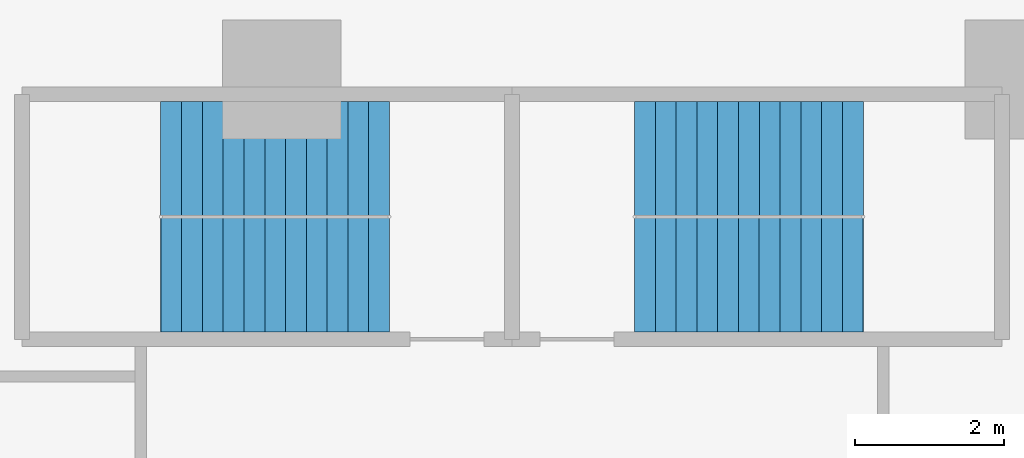
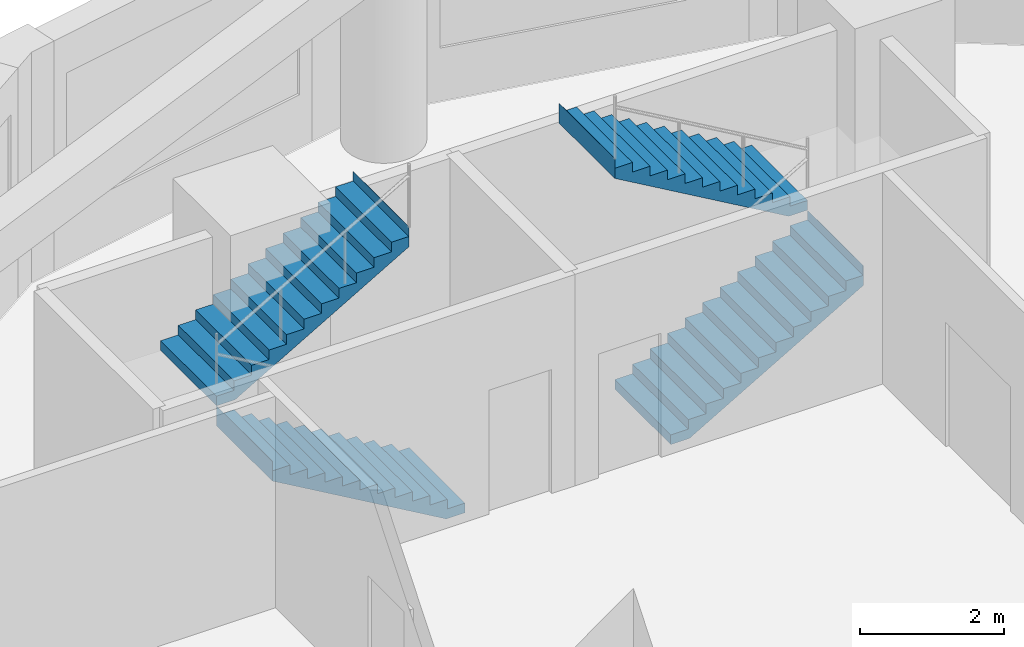
# One storey, part 8 of 10: 4 stair flights, 2 elements without a shape of their own.
"""IFC4 building model written with IfcOpenShell, lengths in metres."""

from ifc_helpers import new_model, si_unit, direction, frame, origin, place, context, subcontext, project, spatial, polyline, outline, extrude, material, type_object, element, aggregate, save


model = new_model("IFC4")

# Units and contexts
model_context = context("Model", 3, precision=1e-05, world=origin(), true_north=direction((0.0, 1.0)))
body_context = subcontext(model_context, "Body", "Model", "MODEL_VIEW")
ifc_project = project(units=[si_unit("LENGTHUNIT", "METRE"), si_unit("AREAUNIT", "SQUARE_METRE"), si_unit("VOLUMEUNIT", "CUBIC_METRE"), si_unit("PLANEANGLEUNIT", "RADIAN"), si_unit("MASSUNIT", "GRAM", prefix="KILO")], contexts=[model_context])

# Site, building, storey
site_placement = place(None, origin())
site = spatial("IfcSite", under=ifc_project, at=site_placement, CompositionType="ELEMENT")
building_placement = place(site_placement, origin())
building = spatial("IfcBuilding", under=site, at=building_placement, Name="Qaws Garden Tower", CompositionType="ELEMENT")
storey_placement = place(building_placement, frame((0.0, 0.0, 101.699951171875)))
storey = spatial("IfcBuildingStorey", under=building, at=storey_placement, Name="L25", CompositionType="ELEMENT", Elevation=101.699951171875)

# Stair, stair flights
ifc_material_1 = material(Name="Concrete C40", Category="concrete")
stair_type = type_object("IfcStairType", Name="Exit stair 1350", PredefinedType="HALF_TURN_STAIR", material=ifc_material_1)
placement = place(storey_placement, origin())
stair_1 = element("IfcStair", 1, at=placement, inside=storey, type_object=stair_type, Name="Stair 6", PredefinedType="HALF_TURN_STAIR")
ifc_material_2 = material(Name="Concrete C40", Category="concrete")
stair_flight_type = type_object("IfcStairFlightType", Name="Stair flight 1350", PredefinedType="STRAIGHT", material=ifc_material_2)
stair_flight_1_placement = place(storey_placement, frame((11.449951171875, 67.375, 0.0), z_axis=(0.0, 0.0, 1.0), x_axis=(-1.0, 0.0, 0.0)))
stair_flight_1 = element("IfcStairFlight", 2, at=stair_flight_1_placement, type_object=stair_flight_type, Name="ST6 flight 1", NumberOfRisers=12, NumberOfTreads=11, PredefinedType="STRAIGHT", RiserHeight=0.1625, TreadLength=0.28, context=body_context, shape_type="SweptSolid", body=[
    extrude(outline(polyline([(-0.0029296875, 0.0), (-0.0029296875, 0.16259765625), (0.0, 0.16259765625), (0.280029296875, 0.16259765625), (0.280029296875, 0.324951171875), (0.56005859375, 0.324951171875), (0.56005859375, 0.487548828125), (0.840087890625, 0.487548828125), (0.840087890625, 0.64990234375), (1.1201171875, 0.64990234375), (1.1201171875, 0.8125), (1.39990234375, 0.8125), (1.39990234375, 0.97509765625), (1.679931640625, 0.97509765625), (1.679931640625, 1.137451171875), (1.9599609375, 1.137451171875), (1.9599609375, 1.300048828125), (2.239990234375, 1.300048828125), (2.239990234375, 1.46240234375), (2.52001953125, 1.46240234375), (2.52001953125, 1.625), (2.800048828125, 1.625), (2.800048828125, 1.78759765625), (3.080078125, 1.78759765625), (3.080078125, 1.949951171875), (3.0830078125, 1.949951171875), (3.0830078125, 1.6142578125), (3.080078125, 1.6142578125), (0.298583984375, 0.0), (-0.0029296875, 0.0)])), frame((0.0, 0.77490234375, 0.0), z_axis=(0.0, -1.0, 0.0), x_axis=(1.0, 0.0, 0.0)), (0.0, 0.0, 1.0), 1.550048828125),
])
stair_flight_2_placement = place(storey_placement, frame((8.3701171875, 68.925048828125, 1.949951171875), z_axis=(0.0, 0.0, 1.0), x_axis=(1.0, 0.0, 0.0)))
stair_flight_2 = element("IfcStairFlight", 3, at=stair_flight_2_placement, type_object=stair_flight_type, Name="ST6 flight 2", NumberOfRisers=12, NumberOfTreads=11, PredefinedType="STRAIGHT", RiserHeight=0.1625, TreadLength=0.28, context=body_context, shape_type="SweptSolid", body=[
    extrude(outline(polyline([(-0.0029296875, 0.0), (-0.0029296875, 0.16259765625), (0.0, 0.16259765625), (0.280029296875, 0.16259765625), (0.280029296875, 0.324951171875), (0.56005859375, 0.324951171875), (0.56005859375, 0.487548828125), (0.840087890625, 0.487548828125), (0.840087890625, 0.64990234375), (1.1201171875, 0.64990234375), (1.1201171875, 0.8125), (1.39990234375, 0.8125), (1.39990234375, 0.97509765625), (1.679931640625, 0.97509765625), (1.679931640625, 1.137451171875), (1.9599609375, 1.137451171875), (1.9599609375, 1.300048828125), (2.239990234375, 1.300048828125), (2.239990234375, 1.46240234375), (2.52001953125, 1.46240234375), (2.52001953125, 1.625), (2.800048828125, 1.625), (2.800048828125, 1.78759765625), (3.080078125, 1.78759765625), (3.080078125, 1.949951171875), (3.0830078125, 1.949951171875), (3.0830078125, 1.6142578125), (3.080078125, 1.6142578125), (0.298583984375, 0.0), (-0.0029296875, 0.0)])), frame((0.0, 0.77490234375, 0.0), z_axis=(0.0, -1.0, 0.0), x_axis=(1.0, 0.0, 0.0)), (0.0, 0.0, 1.0), 1.550048828125),
])
aggregate(stair_1, [stair_flight_1, stair_flight_2])

stair_2 = element("IfcStair", 4, at=placement, inside=storey, type_object=stair_type, Name="Stair 7", PredefinedType="HALF_TURN_STAIR")
stair_flight_3_placement = place(storey_placement, frame((14.75, 67.375, 0.0), z_axis=(0.0, 0.0, 1.0), x_axis=(1.0, 0.0, 0.0)))
stair_flight_3 = element("IfcStairFlight", 5, at=stair_flight_3_placement, type_object=stair_flight_type, Name="ST7 flight 1", NumberOfRisers=12, NumberOfTreads=11, PredefinedType="STRAIGHT", RiserHeight=0.1625, TreadLength=0.28, context=body_context, shape_type="SweptSolid", body=[
    extrude(outline(polyline([(-0.0029296875, 0.0), (-0.0029296875, 0.16259765625), (0.0, 0.16259765625), (0.280029296875, 0.16259765625), (0.280029296875, 0.324951171875), (0.56005859375, 0.324951171875), (0.56005859375, 0.487548828125), (0.840087890625, 0.487548828125), (0.840087890625, 0.64990234375), (1.1201171875, 0.64990234375), (1.1201171875, 0.8125), (1.39990234375, 0.8125), (1.39990234375, 0.97509765625), (1.679931640625, 0.97509765625), (1.679931640625, 1.137451171875), (1.9599609375, 1.137451171875), (1.9599609375, 1.300048828125), (2.239990234375, 1.300048828125), (2.239990234375, 1.46240234375), (2.52001953125, 1.46240234375), (2.52001953125, 1.625), (2.800048828125, 1.625), (2.800048828125, 1.78759765625), (3.080078125, 1.78759765625), (3.080078125, 1.949951171875), (3.0830078125, 1.949951171875), (3.0830078125, 1.6142578125), (3.080078125, 1.6142578125), (0.298583984375, 0.0), (-0.0029296875, 0.0)])), frame((0.0, 0.77490234375, 0.0), z_axis=(0.0, -1.0, 0.0), x_axis=(1.0, 0.0, 0.0)), (0.0, 0.0, 1.0), 1.550048828125),
])
stair_flight_4_placement = place(storey_placement, frame((17.830078125, 68.925048828125, 1.949951171875), z_axis=(0.0, 0.0, 1.0), x_axis=(-1.0, 0.0, 0.0)))
stair_flight_4 = element("IfcStairFlight", 6, at=stair_flight_4_placement, type_object=stair_flight_type, Name="ST7 flight 2", NumberOfRisers=12, NumberOfTreads=11, PredefinedType="STRAIGHT", RiserHeight=0.1625, TreadLength=0.28, context=body_context, shape_type="SweptSolid", body=[
    extrude(outline(polyline([(-0.0029296875, 0.0), (-0.0029296875, 0.16259765625), (0.0, 0.16259765625), (0.280029296875, 0.16259765625), (0.280029296875, 0.324951171875), (0.56005859375, 0.324951171875), (0.56005859375, 0.487548828125), (0.840087890625, 0.487548828125), (0.840087890625, 0.64990234375), (1.1201171875, 0.64990234375), (1.1201171875, 0.8125), (1.39990234375, 0.8125), (1.39990234375, 0.97509765625), (1.679931640625, 0.97509765625), (1.679931640625, 1.137451171875), (1.9599609375, 1.137451171875), (1.9599609375, 1.300048828125), (2.239990234375, 1.300048828125), (2.239990234375, 1.46240234375), (2.52001953125, 1.46240234375), (2.52001953125, 1.625), (2.800048828125, 1.625), (2.800048828125, 1.78759765625), (3.080078125, 1.78759765625), (3.080078125, 1.949951171875), (3.0830078125, 1.949951171875), (3.0830078125, 1.6142578125), (3.080078125, 1.6142578125), (0.298583984375, 0.0), (-0.0029296875, 0.0)])), frame((0.0, 0.77490234375, 0.0), z_axis=(0.0, -1.0, 0.0), x_axis=(1.0, 0.0, 0.0)), (0.0, 0.0, 1.0), 1.550048828125),
])
aggregate(stair_2, [stair_flight_3, stair_flight_4])

save(model, "model.ifc")
